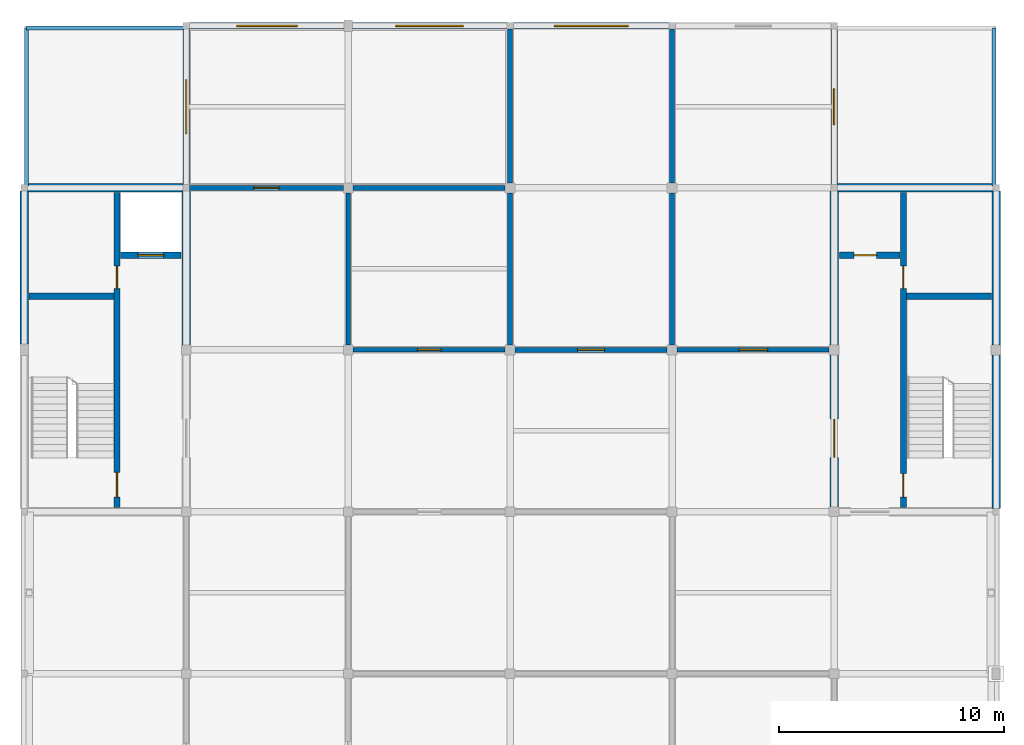
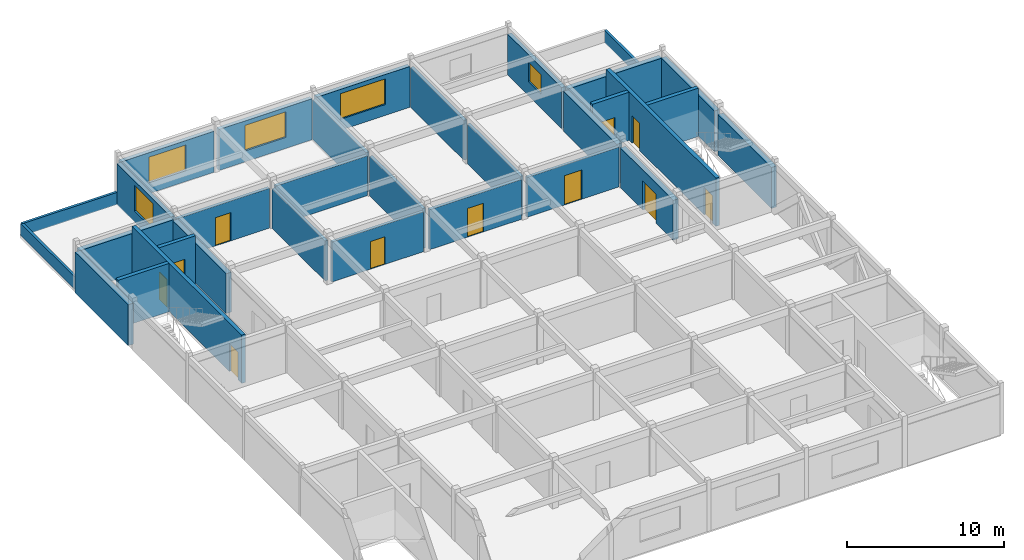
# One storey, part 4 of 6: 32 walls, 11 doors, 5 windows, 16 openings.
"""IFC4 building model written with IfcOpenShell, lengths in metres."""

import ifcopenshell
import ifcopenshell.guid

model = None  # the IFC model being written
_history = None  # IfcOwnerHistory: only IFC2X3 demands one
_inside = {}  # id of a spatial element -> (the spatial element, [elements in it])
_under = {}  # id of a project, library or spatial element -> (it, [spatial elements below it])
_declared = {}  # id of a project -> (the project, [libraries it declares])
_typed = {}  # id of a type object -> (the type object, [elements of that type])
_made_of = {}  # id of a material, layer set ... -> (it, [elements and type objects made of it])


def new_model(schema):
    """Start an empty IFC model of exactly this schema.

    Asked for "IFC4X3", IfcOpenShell would pick the latest addendum, in which some entities
    have other attributes; the version numbers below select the first issue.
    IFC2X3 requires an IfcOwnerHistory on every rooted entity: one is made here for all.
    """
    global model, _history
    if schema == "IFC4X3":
        model = ifcopenshell.file(schema_version=(4, 3, 0, 0))
    else:
        model = ifcopenshell.file(schema=schema)
    _inside.clear()
    _under.clear()
    _declared.clear()
    _typed.clear()
    _made_of.clear()
    _history = None
    if model.schema == "IFC2X3":
        org = make("IfcOrganization", Name="unknown")
        user = make(
            "IfcPersonAndOrganization",
            ThePerson=make("IfcPerson", FamilyName="unknown"),
            TheOrganization=org,
        )
        app = make(
            "IfcApplication",
            ApplicationDeveloper=org,
            Version="unknown",
            ApplicationFullName="unknown",
            ApplicationIdentifier="unknown",
        )
        _history = make(
            "IfcOwnerHistory",
            OwningUser=user,
            OwningApplication=app,
            ChangeAction="ADDED",
            CreationDate=0,
        )
    return model


def make(cls, **values):
    """One entity of the class cls with the attributes given. An attribute that is None is left unset."""
    return model.create_entity(
        cls, **{name: value for name, value in values.items() if value is not None}
    )


def rooted(cls, **values):
    """An entity with a GlobalId (a new one), such as an element, a storey or a relation."""
    return make(cls, GlobalId=ifcopenshell.guid.new(), OwnerHistory=_history, **values)


def si_unit(unit_type, name, prefix=None):
    """IfcSIUnit, for example si_unit("LENGTHUNIT", "METRE", prefix="MILLI")."""
    return make("IfcSIUnit", UnitType=unit_type, Prefix=prefix, Name=name)


def assignment(units):
    """IfcUnitAssignment: the units of a project."""
    return None if units is None else make("IfcUnitAssignment", Units=units)


def point(xyz):
    """IfcCartesianPoint."""
    return None if xyz is None else make("IfcCartesianPoint", Coordinates=xyz)


def direction(xyz):
    """IfcDirection."""
    return None if xyz is None else make("IfcDirection", DirectionRatios=xyz)


def frame(location, z_axis=None, x_axis=None):
    """IfcAxis2Placement3D, a coordinate frame: its origin and axes. An axis left out is left unset."""
    return make(
        "IfcAxis2Placement3D",
        Location=point(location),
        Axis=direction(z_axis),
        RefDirection=direction(x_axis),
    )


def frame_2d(location, x_axis=None):
    """IfcAxis2Placement2D, a coordinate frame in the plane: its origin and x axis."""
    return make(
        "IfcAxis2Placement2D", Location=point(location), RefDirection=direction(x_axis)
    )


def origin():
    """The frame at (0, 0, 0) with its axes left unset."""
    return frame((0.0, 0.0, 0.0))


def place(relative_to, where):
    """IfcLocalPlacement: puts the frame where relative to a parent placement (None: the world)."""
    return make(
        "IfcLocalPlacement", PlacementRelTo=relative_to, RelativePlacement=where
    )


def context(
    kind, dimensions, precision=None, world=None, true_north=None, identifier=None
):
    """IfcGeometricRepresentationContext, for example the 3D "Model" context."""
    return make(
        "IfcGeometricRepresentationContext",
        ContextIdentifier=identifier,
        ContextType=kind,
        CoordinateSpaceDimension=dimensions,
        Precision=precision,
        WorldCoordinateSystem=world,
        TrueNorth=true_north,
    )


def subcontext(parent, identifier, kind, view, scale=None):
    """IfcGeometricRepresentationSubContext, for example "Body" below "Model"."""
    return make(
        "IfcGeometricRepresentationSubContext",
        ContextIdentifier=identifier,
        ContextType=kind,
        ParentContext=parent,
        TargetScale=scale,
        TargetView=view,
    )


def project(units=None, contexts=None):
    """IfcProject with its units and contexts."""
    return rooted(
        "IfcProject",
        Name="project",
        RepresentationContexts=contexts,
        UnitsInContext=assignment(units),
    )


def spatial(cls, under=None, at=None, **own):
    """A site, building, storey or space (cls), placed at a placement, below another one or the project."""
    s = rooted(cls, ObjectPlacement=at, **own)
    if under is not None:
        _under.setdefault(under.id(), (under, []))[1].append(s)
    return s


def profile(cls, at=None, kind="AREA", **sizes):
    """A parametric profile (cls). Its sizes go by their IFC names, for example OverallWidth=200.0."""
    return make(cls, ProfileType=kind, Position=at, **sizes)


def rectangle(**sizes):
    """IfcRectangleProfileDef."""
    return profile("IfcRectangleProfileDef", **sizes)


def extrude(swept, where, along, depth):
    """IfcExtrudedAreaSolid: the profile swept, set in the frame where, extruded along a direction by depth."""
    return make(
        "IfcExtrudedAreaSolid",
        SweptArea=swept,
        Position=where,
        ExtrudedDirection=direction(along),
        Depth=depth,
    )


def shape(context_of_items, identifier, shape_type, items):
    """IfcShapeRepresentation: the items that make up one representation, for example the "Body"."""
    return make(
        "IfcShapeRepresentation",
        ContextOfItems=context_of_items,
        RepresentationIdentifier=identifier,
        RepresentationType=shape_type,
        Items=items,
    )


def material(Name=None, Category=None):
    """IfcMaterial."""
    return make("IfcMaterial", Name=Name, Category=Category)


def layer(
    of_material, thickness, ventilated=None, Name=None, Category=None, Priority=None
):
    """IfcMaterialLayer: one layer of a wall or slab, of a material (None: an air gap)."""
    return make(
        "IfcMaterialLayer",
        Material=of_material,
        LayerThickness=thickness,
        IsVentilated=ventilated,
        Name=Name,
        Category=Category,
        Priority=Priority,
    )


def layer_set(layers, Name=None):
    """IfcMaterialLayerSet."""
    return make("IfcMaterialLayerSet", MaterialLayers=layers, LayerSetName=Name)


def made_of(thing, what):
    """Note that an element or type object is made of a material, layer set ...; save() writes the relation."""
    if what is not None:
        _made_of.setdefault(what.id(), (what, []))[1].append(thing)
    return thing


def type_object(cls, material=None, **own):
    """A type object (cls), such as IfcWallType, which elements share."""
    return made_of(rooted(cls, **own), material)


def element(
    cls,
    number,
    at=None,
    inside=None,
    cuts=None,
    type_object=None,
    material=None,
    context=None,
    identifier="Body",
    shape_type=None,
    held_by="IfcProductDefinitionShape",
    body=None,
    shapes=None,
    **own,
):
    """One element of the class cls, such as IfcWall. Its Tag is "e" and its number.

    at: its placement. inside: the storey or other place that contains it. cuts: it is an
    opening in that element (IfcRelVoidsElement). A single representation is given by context,
    identifier, shape_type and body (its items); several are given by shapes. held_by: the class
    of the entity that holds the representations. save() writes the other relations.
    """
    e = rooted(cls, Tag="e%d" % number, ObjectPlacement=at, **own)
    if body is not None:
        shapes = [shape(context, identifier, shape_type, body)]
    if shapes is not None:
        e.Representation = make(held_by, Representations=shapes)
    if inside is not None:
        _inside.setdefault(inside.id(), (inside, []))[1].append(e)
    if cuts is not None:
        rooted(
            "IfcRelVoidsElement", RelatingBuildingElement=cuts, RelatedOpeningElement=e
        )
    if type_object is not None:
        _typed.setdefault(type_object.id(), (type_object, []))[1].append(e)
    return made_of(e, material)


def fill(opening, filler):
    """IfcRelFillsElement: the door or window that sits in an opening."""
    return rooted(
        "IfcRelFillsElement",
        RelatingOpeningElement=opening,
        RelatedBuildingElement=filler,
    )


def aggregate(whole, parts):
    """IfcRelAggregates: a whole, such as a stair, and the parts it consists of."""
    return rooted("IfcRelAggregates", RelatingObject=whole, RelatedObjects=parts)


def save(model, path):
    """Write the relations noted so far, then the file.

    IfcRelAggregates (storeys below a building ...), IfcRelContainedInSpatialStructure (elements
    in a storey), IfcRelDefinesByType, IfcRelAssociatesMaterial and IfcRelDeclares: one each for
    every whole, place, type object, material and project.
    """
    for whole, parts in _under.values():
        aggregate(whole, parts)
    for where, things in _inside.values():
        rooted(
            "IfcRelContainedInSpatialStructure",
            RelatedElements=things,
            RelatingStructure=where,
        )
    for kind, things in _typed.values():
        rooted("IfcRelDefinesByType", RelatedObjects=things, RelatingType=kind)
    for what, things in _made_of.values():
        rooted("IfcRelAssociatesMaterial", RelatedObjects=things, RelatingMaterial=what)
    for by, libraries in _declared.values():
        rooted("IfcRelDeclares", RelatingContext=by, RelatedDefinitions=libraries)
    model.write(path)


model = new_model("IFC4")

# Units and contexts
model_context = context("Model", 3, precision=1e-05, world=origin(), true_north=direction((0.0, 1.0)))
body_context = subcontext(model_context, "Body", "Model", "MODEL_VIEW")
ifc_project = project(units=[si_unit("LENGTHUNIT", "METRE"), si_unit("AREAUNIT", "SQUARE_METRE"), si_unit("VOLUMEUNIT", "CUBIC_METRE"), si_unit("PLANEANGLEUNIT", "RADIAN"), si_unit("MASSUNIT", "GRAM", prefix="KILO")], contexts=[model_context])

# Site, building, storey
site_placement = place(None, origin())
site = spatial("IfcSite", under=ifc_project, at=site_placement, CompositionType="ELEMENT")
building_placement = place(site_placement, origin())
building = spatial("IfcBuilding", under=site, at=building_placement, Name="Cendaluz Park School", CompositionType="ELEMENT")
storey_placement = place(building_placement, frame((0.0, 0.0, 59.0)))
storey = spatial("IfcBuildingStorey", under=building, at=storey_placement, Name="L14", CompositionType="ELEMENT", Elevation=59.0)

# Wall, opening, door
ifc_material_1 = material(Name="Gypsum Plasterboard on Cold-Formed Stud", Category="gypsum")
ifc_layer_1 = layer(ifc_material_1, 0.199951171875)
ifc_layer_set_1 = layer_set([ifc_layer_1], Name="Gypsum Plasterboard on Cold-Formed Stud")
wall_type_1 = type_object("IfcWallType", Name="W-AC20", PredefinedType="PARTITIONING", material=ifc_layer_set_1)
wall_1_placement = place(storey_placement, frame((93.820068359375, 50.39990234375, 0.0), z_axis=(0.0, 0.0, 1.0), x_axis=(1.0, 0.0, 0.0)))
wall_1 = element("IfcWall", 1, at=wall_1_placement, inside=storey, type_object=wall_type_1, Name="WL-FO-BL1", PredefinedType="PARTITIONING", context=body_context, shape_type="SweptSolid", body=[
    extrude(rectangle(XDim=6.760009765625, YDim=0.199951171875, at=frame_2d((3.3798828125, 0.0))), origin(), (0.0, 0.0, 1.0), 3.110107421875),
])
opening_1_placement = place(wall_1_placement, frame((2.739990234375, 0.0, 0.0)))
opening_1 = element("IfcOpeningElement", 2, at=opening_1_placement, cuts=wall_1, Name="Opening DCL-10", PredefinedType="OPENING", context=body_context, shape_type="SweptSolid", body=[
    extrude(rectangle(XDim=1.280029296875, YDim=2.280029296875, at=frame_2d((0.64013671875, 1.14013671875))), frame((0.0, 0.112060546875, 0.0), z_axis=(0.0, -1.0, 0.0), x_axis=(1.0, 0.0, 0.0)), (0.0, 0.0, 1.0), 0.223876953125),
])
ifc_material_2 = material(Name="Solid Core Hardwood", Category="wood")
door_type_1 = type_object("IfcDoorType", Name="DCL-10", OperationType="NOTDEFINED", PredefinedType="DOOR", material=ifc_material_2)
door_1_placement = place(opening_1_placement, origin())
door_1 = element("IfcDoor", 3, at=door_1_placement, inside=storey, type_object=door_type_1, Name="D-L14-022", OperationType="SINGLE_SWING_LEFT", OverallHeight=2.280029296875, OverallWidth=1.280029296875, PredefinedType="DOOR", context=body_context, shape_type="SweptSolid", body=[
    extrude(rectangle(XDim=1.280029296875, YDim=2.280029296875, at=frame_2d((0.64013671875, 1.14013671875))), frame((0.0, 0.02490234375, 0.0), z_axis=(0.0, -1.0, 0.0), x_axis=(1.0, 0.0, 0.0)), (0.0, 0.0, 1.0), 0.050048828125),
])
fill(opening_1, door_1)

wall_2_placement = place(storey_placement, frame((79.419921875, 50.39990234375, 0.0), z_axis=(0.0, 0.0, 1.0), x_axis=(1.0, 0.0, 0.0)))
wall_2 = element("IfcWall", 4, at=wall_2_placement, inside=storey, type_object=wall_type_1, Name="WL-FO-BM1", PredefinedType="PARTITIONING", context=body_context, shape_type="SweptSolid", body=[
    extrude(rectangle(XDim=6.760009765625, YDim=0.199951171875, at=frame_2d((3.3798828125, 0.0))), origin(), (0.0, 0.0, 1.0), 3.110107421875),
])
opening_2_placement = place(wall_2_placement, frame((2.85009765625, 0.0, 0.0)))
opening_2 = element("IfcOpeningElement", 5, at=opening_2_placement, cuts=wall_2, Name="Opening DCL-04", PredefinedType="OPENING", context=body_context, shape_type="SweptSolid", body=[
    extrude(rectangle(XDim=1.06005859375, YDim=2.159912109375, at=frame_2d((0.530029296875, 1.080078125))), frame((0.0, 0.112060546875, 0.0), z_axis=(0.0, -1.0, 0.0), x_axis=(1.0, 0.0, 0.0)), (0.0, 0.0, 1.0), 0.223876953125),
])
door_type_2 = type_object("IfcDoorType", Name="DCL-04", OperationType="NOTDEFINED", PredefinedType="DOOR", material=ifc_material_2)
door_2_placement = place(opening_2_placement, origin())
door_2 = element("IfcDoor", 6, at=door_2_placement, inside=storey, type_object=door_type_2, Name="D-L14-026", OperationType="SINGLE_SWING_LEFT", OverallHeight=2.159912109375, OverallWidth=1.06005859375, PredefinedType="DOOR", context=body_context, shape_type="SweptSolid", body=[
    extrude(rectangle(XDim=1.06005859375, YDim=2.159912109375, at=frame_2d((0.530029296875, 1.080078125))), frame((0.0, 0.02490234375, 0.0), z_axis=(0.0, -1.0, 0.0), x_axis=(1.0, 0.0, 0.0)), (0.0, 0.0, 1.0), 0.050048828125),
])
fill(opening_2, door_2)

# Wall
wall_3_placement = place(storey_placement, frame((79.199951171875, 50.6201171875, 0.0), z_axis=(0.0, 0.0, 1.0), x_axis=(0.0, 1.0, 0.0)))
element("IfcWall", 7, at=wall_3_placement, inside=storey, type_object=wall_type_1, Name="WL-FO-BM2", PredefinedType="PARTITIONING", context=body_context, shape_type="SweptSolid", body=[
    extrude(rectangle(XDim=6.759765625, YDim=0.199951171875, at=frame_2d((3.3798828125, 0.0))), origin(), (0.0, 0.0, 1.0), 3.110107421875),
])

# Wall, opening, window
ifc_material_3 = material(Name="Cross-laminated timber CLT C24", Category="wood")
ifc_layer_2 = layer(ifc_material_3, 0.300048828125)
ifc_layer_set_2 = layer_set([ifc_layer_2], Name="Cross-laminated timber CLT C24")
wall_type_2 = type_object("IfcWallType", Name="W-EX30", PredefinedType="SOLIDWALL", material=ifc_layer_set_2)
wall_4_placement = place(storey_placement, frame((72.14990234375, 64.800048828125, 0.0), z_axis=(0.0, 0.0, 1.0), x_axis=(1.0, 0.0, 0.0)))
wall_4 = element("IfcWall", 8, at=wall_4_placement, inside=storey, type_object=wall_type_2, Name="WL-FO-AA3", PredefinedType="SOLIDWALL", context=body_context, shape_type="SweptSolid", body=[
    extrude(rectangle(XDim=6.8701171875, YDim=0.300048828125, at=frame_2d((3.43505859375, 0.0))), origin(), (0.0, 0.0, 1.0), 3.18994140625),
])
opening_3_placement = place(wall_4_placement, frame((2.0849609375, 0.0, 0.85009765625)))
opening_3 = element("IfcOpeningElement", 9, at=opening_3_placement, cuts=wall_4, Name="Opening WN-13", PredefinedType="OPENING", context=body_context, shape_type="SweptSolid", body=[
    extrude(rectangle(XDim=2.699951171875, YDim=2.0, at=frame_2d((1.35009765625, 1.0))), frame((0.0, 0.162109375, 0.0), z_axis=(0.0, -1.0, 0.0), x_axis=(1.0, 0.0, 0.0)), (0.0, 0.0, 1.0), 0.323974609375),
])
ifc_material_4 = material(Name="Tempered Low-E Double Glazing", Category="glass")
window_type_1 = type_object("IfcWindowType", Name="WN-13", PartitioningType="SINGLE_PANEL", PredefinedType="WINDOW", material=ifc_material_4)
window_1_placement = place(opening_3_placement, origin())
window_1 = element("IfcWindow", 10, at=window_1_placement, inside=storey, type_object=window_type_1, Name="WN-L14-002", OverallHeight=2.0, OverallWidth=2.699951171875, PartitioningType="SINGLE_PANEL", PredefinedType="WINDOW", context=body_context, shape_type="SweptSolid", body=[
    extrude(rectangle(XDim=2.699951171875, YDim=2.0, at=frame_2d((1.35009765625, 1.0))), frame((0.0, 0.030029296875, 0.0), z_axis=(0.0, -1.0, 0.0), x_axis=(1.0, 0.0, 0.0)), (0.0, 0.0, 1.0), 0.06005859375),
])
fill(opening_3, window_1)

wall_5_placement = place(storey_placement, frame((72.0, 57.75, 0.0), z_axis=(0.0, 0.0, 1.0), x_axis=(0.0, 1.0, 0.0)))
wall_5 = element("IfcWall", 11, at=wall_5_placement, inside=storey, type_object=wall_type_2, Name="WL-FO-AA4", PredefinedType="SOLIDWALL", context=body_context, shape_type="SweptSolid", body=[
    extrude(rectangle(XDim=6.89990234375, YDim=0.300048828125, at=frame_2d((3.449951171875, 0.0))), origin(), (0.0, 0.0, 1.0), 3.18994140625),
])
opening_4_placement = place(wall_5_placement, frame((2.25, 0.0, 0.85009765625)))
opening_4 = element("IfcOpeningElement", 12, at=opening_4_placement, cuts=wall_5, Name="Opening WN-12", PredefinedType="OPENING", context=body_context, shape_type="SweptSolid", body=[
    extrude(rectangle(XDim=2.39990234375, YDim=2.0, at=frame_2d((1.199951171875, 1.0))), frame((0.0, 0.162109375, 0.0), z_axis=(0.0, -1.0, 0.0), x_axis=(1.0, 0.0, 0.0)), (0.0, 0.0, 1.0), 0.323974609375),
])
window_type_2 = type_object("IfcWindowType", Name="WN-12", PartitioningType="SINGLE_PANEL", PredefinedType="WINDOW", material=ifc_material_4)
window_2_placement = place(opening_4_placement, origin())
window_2 = element("IfcWindow", 13, at=window_2_placement, inside=storey, type_object=window_type_2, Name="WN-L14-003", OverallHeight=2.0, OverallWidth=2.39990234375, PartitioningType="SINGLE_PANEL", PredefinedType="WINDOW", context=body_context, shape_type="SweptSolid", body=[
    extrude(rectangle(XDim=2.39990234375, YDim=2.0, at=frame_2d((1.199951171875, 1.0))), frame((0.0, 0.030029296875, 0.0), z_axis=(0.0, -1.0, 0.0), x_axis=(1.0, 0.0, 0.0)), (0.0, 0.0, 1.0), 0.06005859375),
])
fill(opening_4, window_2)

wall_6_placement = place(storey_placement, frame((79.3798828125, 64.800048828125, 0.0), z_axis=(0.0, 0.0, 1.0), x_axis=(1.0, 0.0, 0.0)))
wall_6 = element("IfcWall", 14, at=wall_6_placement, inside=storey, type_object=wall_type_2, Name="WL-FO-AA6", PredefinedType="SOLIDWALL", context=body_context, shape_type="SweptSolid", body=[
    extrude(rectangle(XDim=6.8701171875, YDim=0.300048828125, at=frame_2d((3.43505859375, 0.0))), origin(), (0.0, 0.0, 1.0), 3.18994140625),
])
opening_5_placement = place(wall_6_placement, frame((1.93505859375, 0.0, 0.85009765625)))
opening_5 = element("IfcOpeningElement", 15, at=opening_5_placement, cuts=wall_6, Name="Opening WN-14", PredefinedType="OPENING", context=body_context, shape_type="SweptSolid", body=[
    extrude(rectangle(XDim=3.0, YDim=2.0, at=frame_2d((1.5, 1.0))), frame((0.0, 0.162109375, 0.0), z_axis=(0.0, -1.0, 0.0), x_axis=(1.0, 0.0, 0.0)), (0.0, 0.0, 1.0), 0.323974609375),
])
window_type_3 = type_object("IfcWindowType", Name="WN-14", PartitioningType="SINGLE_PANEL", PredefinedType="WINDOW", material=ifc_material_4)
window_3_placement = place(opening_5_placement, origin())
window_3 = element("IfcWindow", 16, at=window_3_placement, inside=storey, type_object=window_type_3, Name="WN-L14-005", OverallHeight=2.0, OverallWidth=3.0, PartitioningType="SINGLE_PANEL", PredefinedType="WINDOW", context=body_context, shape_type="SweptSolid", body=[
    extrude(rectangle(XDim=3.0, YDim=2.0, at=frame_2d((1.5, 1.0))), frame((0.0, 0.030029296875, 0.0), z_axis=(0.0, -1.0, 0.0), x_axis=(1.0, 0.0, 0.0)), (0.0, 0.0, 1.0), 0.06005859375),
])
fill(opening_5, window_3)

wall_7_placement = place(storey_placement, frame((86.550048828125, 64.800048828125, 0.0), z_axis=(0.0, 0.0, 1.0), x_axis=(1.0, 0.0, 0.0)))
wall_7 = element("IfcWall", 17, at=wall_7_placement, inside=storey, type_object=wall_type_2, Name="WL-FO-AA8", PredefinedType="SOLIDWALL", context=body_context, shape_type="SweptSolid", body=[
    extrude(rectangle(XDim=6.89990234375, YDim=0.300048828125, at=frame_2d((3.449951171875, 0.0))), origin(), (0.0, 0.0, 1.0), 3.18994140625),
])
opening_6_placement = place(wall_7_placement, frame((1.800048828125, 0.0, 0.85009765625)))
opening_6 = element("IfcOpeningElement", 18, at=opening_6_placement, cuts=wall_7, Name="Opening WN-15", PredefinedType="OPENING", context=body_context, shape_type="SweptSolid", body=[
    extrude(rectangle(XDim=3.300048828125, YDim=2.0, at=frame_2d((1.64990234375, 1.0))), frame((0.0, 0.162109375, 0.0), z_axis=(0.0, -1.0, 0.0), x_axis=(1.0, 0.0, 0.0)), (0.0, 0.0, 1.0), 0.323974609375),
])
window_type_4 = type_object("IfcWindowType", Name="WN-15", PartitioningType="SINGLE_PANEL", PredefinedType="WINDOW", material=ifc_material_4)
window_4_placement = place(opening_6_placement, origin())
window_4 = element("IfcWindow", 19, at=window_4_placement, inside=storey, type_object=window_type_4, Name="WN-L14-007", OverallHeight=2.0, OverallWidth=3.300048828125, PartitioningType="SINGLE_PANEL", PredefinedType="WINDOW", context=body_context, shape_type="SweptSolid", body=[
    extrude(rectangle(XDim=3.300048828125, YDim=2.0, at=frame_2d((1.64990234375, 1.0))), frame((0.0, 0.030029296875, 0.0), z_axis=(0.0, -1.0, 0.0), x_axis=(1.0, 0.0, 0.0)), (0.0, 0.0, 1.0), 0.06005859375),
])
fill(opening_6, window_4)

wall_8_placement = place(storey_placement, frame((100.800048828125, 57.75, 0.0), z_axis=(0.0, 0.0, 1.0), x_axis=(0.0, 1.0, 0.0)))
wall_8 = element("IfcWall", 20, at=wall_8_placement, inside=storey, type_object=wall_type_2, Name="WL-FO-AB1", PredefinedType="SOLIDWALL", context=body_context, shape_type="SweptSolid", body=[
    extrude(rectangle(XDim=6.89990234375, YDim=0.300048828125, at=frame_2d((3.449951171875, 0.0))), origin(), (0.0, 0.0, 1.0), 3.18994140625),
])
opening_7_placement = place(wall_8_placement, frame((2.64990234375, 0.0, 1.10009765625)))
opening_7 = element("IfcOpeningElement", 21, at=opening_7_placement, cuts=wall_8, Name="Opening WN-16", PredefinedType="OPENING", context=body_context, shape_type="SweptSolid", body=[
    extrude(rectangle(XDim=1.60009765625, YDim=1.5, at=frame_2d((0.800048828125, 0.75))), frame((0.0, 0.162109375, 0.0), z_axis=(0.0, -1.0, 0.0), x_axis=(1.0, 0.0, 0.0)), (0.0, 0.0, 1.0), 0.323974609375),
])
window_type_5 = type_object("IfcWindowType", Name="WN-16", PartitioningType="SINGLE_PANEL", PredefinedType="WINDOW", material=ifc_material_4)
window_5_placement = place(opening_7_placement, origin())
window_5 = element("IfcWindow", 22, at=window_5_placement, inside=storey, type_object=window_type_5, Name="WN-L14-010", OverallHeight=1.5, OverallWidth=1.60009765625, PartitioningType="SINGLE_PANEL", PredefinedType="WINDOW", context=body_context, shape_type="SweptSolid", body=[
    extrude(rectangle(XDim=1.60009765625, YDim=1.5, at=frame_2d((0.800048828125, 0.75))), frame((0.0, 0.030029296875, 0.0), z_axis=(0.0, -1.0, 0.0), x_axis=(1.0, 0.0, 0.0)), (0.0, 0.0, 1.0), 0.06005859375),
])
fill(opening_7, window_5)

# Wall, openings, doors
ifc_material_5 = material(Name="Concrete C40/50", Category="concrete")
ifc_layer_3 = layer(ifc_material_5, 0.280029296875)
ifc_layer_set_3 = layer_set([ifc_layer_3], Name="Concrete C40/50")
wall_type_3 = type_object("IfcWallType", Name="W-FW28", PredefinedType="SHEAR", material=ifc_layer_set_3)
wall_9_placement = place(storey_placement, frame((68.919921875, 43.39990234375, 0.0), z_axis=(0.0, 0.0, 1.0), x_axis=(0.0, 1.0, 0.0)))
wall_9 = element("IfcWall", 23, at=wall_9_placement, inside=storey, type_object=wall_type_3, Name="WL-FO-BI2", PredefinedType="SHEAR", context=body_context, shape_type="SweptSolid", body=[
    extrude(rectangle(XDim=14.0, YDim=0.280029296875, at=frame_2d((7.0, 0.0))), origin(), (0.0, 0.0, 1.0), 3.760009765625),
])
opening_8_placement = place(wall_9_placement, frame((0.449951171875, 0.0, 0.0)))
opening_8 = element("IfcOpeningElement", 24, at=opening_8_placement, cuts=wall_9, Name="Opening DST-01", PredefinedType="OPENING", context=body_context, shape_type="SweptSolid", body=[
    extrude(rectangle(XDim=1.10009765625, YDim=2.14990234375, at=frame_2d((0.550048828125, 1.074951171875))), frame((0.0, 0.152099609375, 0.0), z_axis=(0.0, -1.0, 0.0), x_axis=(1.0, 0.0, 0.0)), (0.0, 0.0, 1.0), 0.303955078125),
])
opening_9_placement = place(wall_9_placement, frame((9.719970703125, 0.0, 0.0)))
opening_9 = element("IfcOpeningElement", 25, at=opening_9_placement, cuts=wall_9, Name="Opening DFC-01", PredefinedType="OPENING", context=body_context, shape_type="SweptSolid", body=[
    extrude(rectangle(XDim=1.0, YDim=2.14990234375, at=frame_2d((0.5, 1.074951171875))), frame((0.0, 0.152099609375, 0.0), z_axis=(0.0, -1.0, 0.0), x_axis=(1.0, 0.0, 0.0)), (0.0, 0.0, 1.0), 0.303955078125),
])
door_type_3 = type_object("IfcDoorType", Name="DFC-01", OperationType="NOTDEFINED", PredefinedType="DOOR", material=ifc_material_2)
door_3_placement = place(opening_9_placement, origin())
door_3 = element("IfcDoor", 26, at=door_3_placement, inside=storey, type_object=door_type_3, Name="D-L14-011", OperationType="SINGLE_SWING_RIGHT", OverallHeight=2.14990234375, OverallWidth=1.0, PredefinedType="DOOR", context=body_context, shape_type="SweptSolid", body=[
    extrude(rectangle(XDim=1.0, YDim=2.14990234375, at=frame_2d((0.5, 1.074951171875))), frame((0.0, 0.02490234375, 0.0), z_axis=(0.0, -1.0, 0.0), x_axis=(1.0, 0.0, 0.0)), (0.0, 0.0, 1.0), 0.050048828125),
])
fill(opening_9, door_3)
door_type_4 = type_object("IfcDoorType", Name="DST-01", OperationType="NOTDEFINED", PredefinedType="DOOR", material=ifc_material_2)
door_4_placement = place(opening_8_placement, origin())
door_4 = element("IfcDoor", 27, at=door_4_placement, inside=storey, type_object=door_type_4, Name="D-L14-010", OperationType="SINGLE_SWING_LEFT", OverallHeight=2.14990234375, OverallWidth=1.10009765625, PredefinedType="DOOR", context=body_context, shape_type="SweptSolid", body=[
    extrude(rectangle(XDim=1.10009765625, YDim=2.14990234375, at=frame_2d((0.550048828125, 1.074951171875))), frame((0.0, 0.02490234375, 0.0), z_axis=(0.0, -1.0, 0.0), x_axis=(1.0, 0.0, 0.0)), (0.0, 0.0, 1.0), 0.050048828125),
])
fill(opening_8, door_4)

# Wall
wall_10_placement = place(storey_placement, frame((65.0, 52.780029296875, 0.0), z_axis=(0.0, 0.0, 1.0), x_axis=(1.0, 0.0, 0.0)))
element("IfcWall", 28, at=wall_10_placement, inside=storey, type_object=wall_type_3, Name="WL-FO-BI3", PredefinedType="SHEAR", context=body_context, shape_type="SweptSolid", body=[
    extrude(rectangle(XDim=3.780029296875, YDim=0.280029296875, at=frame_2d((1.89013671875, 0.0))), origin(), (0.0, 0.0, 1.0), 3.760009765625),
])

# Wall, opening, door
wall_11_placement = place(storey_placement, frame((69.080078125, 54.60009765625, 0.0), z_axis=(0.0, 0.0, 1.0), x_axis=(1.0, 0.0, 0.0)))
wall_11 = element("IfcWall", 29, at=wall_11_placement, inside=storey, type_object=wall_type_3, Name="WL-FO-BI4", PredefinedType="SHEAR", context=body_context, shape_type="SweptSolid", body=[
    extrude(rectangle(XDim=2.679931640625, YDim=0.280029296875, at=frame_2d((1.33984375, 0.0))), origin(), (0.0, 0.0, 1.0), 3.760009765625),
])
opening_10_placement = place(wall_11_placement, frame((0.764892578125, 0.0, 0.0)))
opening_10 = element("IfcOpeningElement", 30, at=opening_10_placement, cuts=wall_11, Name="Opening LD-01", PredefinedType="OPENING", context=body_context, shape_type="SweptSolid", body=[
    extrude(rectangle(XDim=1.14990234375, YDim=2.199951171875, at=frame_2d((0.574951171875, 1.10009765625))), frame((0.0, 0.152099609375, 0.0), z_axis=(0.0, -1.0, 0.0), x_axis=(1.0, 0.0, 0.0)), (0.0, 0.0, 1.0), 0.303955078125),
])
ifc_material_6 = material(Name="Stainless Steel 316L", Category="steel")
door_type_5 = type_object("IfcDoorType", Name="LD-01", OperationType="DOUBLE_DOOR_SLIDING", PredefinedType="DOOR", material=ifc_material_6)
door_5_placement = place(opening_10_placement, frame((1.14990234375, 0.0, 0.0), z_axis=(0.0, 0.0, 1.0), x_axis=(-1.0, 0.0, 0.0)))
door_5 = element("IfcDoor", 31, at=door_5_placement, inside=storey, type_object=door_type_5, Name="D-L14-012", OperationType="DOUBLE_DOOR_SLIDING", OverallHeight=2.199951171875, OverallWidth=1.14990234375, PredefinedType="DOOR", context=body_context, shape_type="SweptSolid", body=[
    extrude(rectangle(XDim=1.14990234375, YDim=2.199951171875, at=frame_2d((0.574951171875, 1.10009765625))), frame((0.0, 0.02490234375, 0.0), z_axis=(0.0, -1.0, 0.0), x_axis=(1.0, 0.0, 0.0)), (0.0, 0.0, 1.0), 0.050048828125),
])
fill(opening_10, door_5)

# Wall, openings, doors
wall_12_placement = place(storey_placement, frame((103.8798828125, 43.39990234375, 0.0), z_axis=(0.0, 0.0, 1.0), x_axis=(0.0, 1.0, 0.0)))
wall_12 = element("IfcWall", 32, at=wall_12_placement, inside=storey, type_object=wall_type_3, Name="WL-FO-BJ1", PredefinedType="SHEAR", context=body_context, shape_type="SweptSolid", body=[
    extrude(rectangle(XDim=14.0, YDim=0.280029296875, at=frame_2d((7.0, 0.0))), origin(), (0.0, 0.0, 1.0), 3.760009765625),
])
opening_11_placement = place(wall_12_placement, frame((0.449951171875, 0.0, 0.0)))
opening_11 = element("IfcOpeningElement", 33, at=opening_11_placement, cuts=wall_12, Name="Opening DST-02", PredefinedType="OPENING", context=body_context, shape_type="SweptSolid", body=[
    extrude(rectangle(XDim=1.050048828125, YDim=2.14990234375, at=frame_2d((0.52490234375, 1.074951171875))), frame((0.0, 0.152099609375, 0.0), z_axis=(0.0, -1.0, 0.0), x_axis=(1.0, 0.0, 0.0)), (0.0, 0.0, 1.0), 0.303955078125),
])
opening_12_placement = place(wall_12_placement, frame((9.719970703125, 0.0, 0.0)))
opening_12 = element("IfcOpeningElement", 34, at=opening_12_placement, cuts=wall_12, Name="Opening DFC-01", PredefinedType="OPENING", context=body_context, shape_type="SweptSolid", body=[
    extrude(rectangle(XDim=1.0, YDim=2.14990234375, at=frame_2d((0.5, 1.074951171875))), frame((0.0, 0.152099609375, 0.0), z_axis=(0.0, -1.0, 0.0), x_axis=(1.0, 0.0, 0.0)), (0.0, 0.0, 1.0), 0.303955078125),
])
door_6_placement = place(opening_12_placement, frame((1.0, 0.0, 0.0), z_axis=(0.0, 0.0, 1.0), x_axis=(-1.0, 0.0, 0.0)))
door_6 = element("IfcDoor", 35, at=door_6_placement, inside=storey, type_object=door_type_3, Name="D-L14-016", OperationType="SINGLE_SWING_LEFT", OverallHeight=2.14990234375, OverallWidth=1.0, PredefinedType="DOOR", context=body_context, shape_type="SweptSolid", body=[
    extrude(rectangle(XDim=1.0, YDim=2.14990234375, at=frame_2d((0.5, 1.074951171875))), frame((0.0, 0.02490234375, 0.0), z_axis=(0.0, -1.0, 0.0), x_axis=(1.0, 0.0, 0.0)), (0.0, 0.0, 1.0), 0.050048828125),
])
fill(opening_12, door_6)
door_type_6 = type_object("IfcDoorType", Name="DST-02", OperationType="NOTDEFINED", PredefinedType="DOOR", material=ifc_material_2)
door_7_placement = place(opening_11_placement, frame((1.050048828125, 0.0, 0.0), z_axis=(0.0, 0.0, 1.0), x_axis=(-1.0, 0.0, 0.0)))
door_7 = element("IfcDoor", 36, at=door_7_placement, inside=storey, type_object=door_type_6, Name="D-L14-015", OperationType="SINGLE_SWING_RIGHT", OverallHeight=2.14990234375, OverallWidth=1.050048828125, PredefinedType="DOOR", context=body_context, shape_type="SweptSolid", body=[
    extrude(rectangle(XDim=1.050048828125, YDim=2.14990234375, at=frame_2d((0.52490234375, 1.074951171875))), frame((0.0, 0.02490234375, 0.0), z_axis=(0.0, -1.0, 0.0), x_axis=(1.0, 0.0, 0.0)), (0.0, 0.0, 1.0), 0.050048828125),
])
fill(opening_11, door_7)

# Wall
wall_13_placement = place(storey_placement, frame((104.02001953125, 52.780029296875, 0.0), z_axis=(0.0, 0.0, 1.0), x_axis=(1.0, 0.0, 0.0)))
element("IfcWall", 37, at=wall_13_placement, inside=storey, type_object=wall_type_3, Name="WL-FO-BJ2", PredefinedType="SHEAR", context=body_context, shape_type="SweptSolid", body=[
    extrude(rectangle(XDim=3.780029296875, YDim=0.280029296875, at=frame_2d((1.89013671875, 0.0))), origin(), (0.0, 0.0, 1.0), 3.760009765625),
])

# Wall, opening, door
wall_14_placement = place(storey_placement, frame((101.0400390625, 54.60009765625, 0.0), z_axis=(0.0, 0.0, 1.0), x_axis=(1.0, 0.0, 0.0)))
wall_14 = element("IfcWall", 38, at=wall_14_placement, inside=storey, type_object=wall_type_3, Name="WL-FO-BJ3", PredefinedType="SHEAR", context=body_context, shape_type="SweptSolid", body=[
    extrude(rectangle(XDim=2.679931640625, YDim=0.280029296875, at=frame_2d((1.33984375, 0.0))), origin(), (0.0, 0.0, 1.0), 3.760009765625),
])
opening_13_placement = place(wall_14_placement, frame((0.64990234375, 0.0, 0.0)))
opening_13 = element("IfcOpeningElement", 39, at=opening_13_placement, cuts=wall_14, Name="Opening DFC-01", PredefinedType="OPENING", context=body_context, shape_type="SweptSolid", body=[
    extrude(rectangle(XDim=1.0, YDim=2.14990234375, at=frame_2d((0.5, 1.074951171875))), frame((0.0, 0.152099609375, 0.0), z_axis=(0.0, -1.0, 0.0), x_axis=(1.0, 0.0, 0.0)), (0.0, 0.0, 1.0), 0.303955078125),
])
door_8_placement = place(opening_13_placement, frame((1.0, 0.0, 0.0), z_axis=(0.0, 0.0, 1.0), x_axis=(-1.0, 0.0, 0.0)))
door_8 = element("IfcDoor", 40, at=door_8_placement, inside=storey, type_object=door_type_3, Name="D-L14-017", OperationType="SINGLE_SWING_RIGHT", OverallHeight=2.14990234375, OverallWidth=1.0, PredefinedType="DOOR", context=body_context, shape_type="SweptSolid", body=[
    extrude(rectangle(XDim=1.0, YDim=2.14990234375, at=frame_2d((0.5, 1.074951171875))), frame((0.0, 0.02490234375, 0.0), z_axis=(0.0, -1.0, 0.0), x_axis=(1.0, 0.0, 0.0)), (0.0, 0.0, 1.0), 0.050048828125),
])
fill(opening_13, door_8)

ifc_layer_4 = layer(ifc_material_1, 0.219970703125)
ifc_layer_set_4 = layer_set([ifc_layer_4], Name="Gypsum Plasterboard on Cold-Formed Stud")
wall_type_4 = type_object("IfcWallType", Name="W-LB22", PredefinedType="PARTITIONING", material=ifc_layer_set_4)
wall_15_placement = place(storey_placement, frame((72.14990234375, 57.60009765625, 0.0), z_axis=(0.0, 0.0, 1.0), x_axis=(1.0, 0.0, 0.0)))
wall_15 = element("IfcWall", 41, at=wall_15_placement, inside=storey, type_object=wall_type_4, Name="WL-FO-BJ4", PredefinedType="PARTITIONING", context=body_context, shape_type="SweptSolid", body=[
    extrude(rectangle(XDim=6.830078125, YDim=0.219970703125, at=frame_2d((3.4150390625, 0.0))), origin(), (0.0, 0.0, 1.0), 3.110107421875),
])
opening_14_placement = place(wall_15_placement, frame((2.85498046875, 0.0, 0.0)))
opening_14 = element("IfcOpeningElement", 42, at=opening_14_placement, cuts=wall_15, Name="Opening DCL-06", PredefinedType="OPENING", context=body_context, shape_type="SweptSolid", body=[
    extrude(rectangle(XDim=1.1201171875, YDim=2.199951171875, at=frame_2d((0.56005859375, 1.10009765625))), frame((0.0, 0.1220703125, 0.0), z_axis=(0.0, -1.0, 0.0), x_axis=(1.0, 0.0, 0.0)), (0.0, 0.0, 1.0), 0.243896484375),
])
door_type_7 = type_object("IfcDoorType", Name="DCL-06", OperationType="NOTDEFINED", PredefinedType="DOOR", material=ifc_material_2)
door_9_placement = place(opening_14_placement, frame((1.1201171875, 0.0, 0.0), z_axis=(0.0, 0.0, 1.0), x_axis=(-1.0, 0.0, 0.0)))
door_9 = element("IfcDoor", 43, at=door_9_placement, inside=storey, type_object=door_type_7, Name="D-L14-018", OperationType="SINGLE_SWING_LEFT", OverallHeight=2.199951171875, OverallWidth=1.1201171875, PredefinedType="DOOR", context=body_context, shape_type="SweptSolid", body=[
    extrude(rectangle(XDim=1.1201171875, YDim=2.199951171875, at=frame_2d((0.56005859375, 1.10009765625))), frame((0.0, 0.02490234375, 0.0), z_axis=(0.0, -1.0, 0.0), x_axis=(1.0, 0.0, 0.0)), (0.0, 0.0, 1.0), 0.050048828125),
])
fill(opening_14, door_9)

# Walls
wall_16_placement = place(storey_placement, frame((79.419921875, 57.60009765625, 0.0), z_axis=(0.0, 0.0, 1.0), x_axis=(1.0, 0.0, 0.0)))
element("IfcWall", 44, at=wall_16_placement, inside=storey, type_object=wall_type_4, Name="WL-FO-BJ5", PredefinedType="PARTITIONING", context=body_context, shape_type="SweptSolid", body=[
    extrude(rectangle(XDim=6.760009765625, YDim=0.219970703125, at=frame_2d((3.3798828125, 0.0))), origin(), (0.0, 0.0, 1.0), 3.110107421875),
])
wall_17_placement = place(storey_placement, frame((86.39990234375, 57.820068359375, 0.0), z_axis=(0.0, 0.0, 1.0), x_axis=(0.0, 1.0, 0.0)))
element("IfcWall", 45, at=wall_17_placement, inside=storey, type_object=wall_type_4, Name="WL-FO-BJ6", PredefinedType="PARTITIONING", context=body_context, shape_type="SweptSolid", body=[
    extrude(rectangle(XDim=6.829833984375, YDim=0.219970703125, at=frame_2d((3.4150390625, 0.0))), origin(), (0.0, 0.0, 1.0), 3.110107421875),
])

# Wall, opening, door
wall_18_placement = place(storey_placement, frame((86.6201171875, 50.39990234375, 0.0), z_axis=(0.0, 0.0, 1.0), x_axis=(1.0, 0.0, 0.0)))
wall_18 = element("IfcWall", 46, at=wall_18_placement, inside=storey, type_object=wall_type_4, Name="WL-FO-BK3", PredefinedType="PARTITIONING", context=body_context, shape_type="SweptSolid", body=[
    extrude(rectangle(XDim=6.759765625, YDim=0.219970703125, at=frame_2d((3.3798828125, 0.0))), origin(), (0.0, 0.0, 1.0), 3.110107421875),
])
opening_15_placement = place(wall_18_placement, frame((2.780029296875, 0.0, 0.0)))
opening_15 = element("IfcOpeningElement", 47, at=opening_15_placement, cuts=wall_18, Name="Opening DCL-08", PredefinedType="OPENING", context=body_context, shape_type="SweptSolid", body=[
    extrude(rectangle(XDim=1.199951171875, YDim=2.239990234375, at=frame_2d((0.60009765625, 1.1201171875))), frame((0.0, 0.1220703125, 0.0), z_axis=(0.0, -1.0, 0.0), x_axis=(1.0, 0.0, 0.0)), (0.0, 0.0, 1.0), 0.243896484375),
])
door_type_8 = type_object("IfcDoorType", Name="DCL-08", OperationType="NOTDEFINED", PredefinedType="DOOR", material=ifc_material_2)
door_10_placement = place(opening_15_placement, frame((1.199951171875, 0.0, 0.0), z_axis=(0.0, 0.0, 1.0), x_axis=(-1.0, 0.0, 0.0)))
door_10 = element("IfcDoor", 48, at=door_10_placement, inside=storey, type_object=door_type_8, Name="D-L14-020", OperationType="SINGLE_SWING_LEFT", OverallHeight=2.239990234375, OverallWidth=1.199951171875, PredefinedType="DOOR", context=body_context, shape_type="SweptSolid", body=[
    extrude(rectangle(XDim=1.199951171875, YDim=2.239990234375, at=frame_2d((0.60009765625, 1.1201171875))), frame((0.0, 0.02490234375, 0.0), z_axis=(0.0, -1.0, 0.0), x_axis=(1.0, 0.0, 0.0)), (0.0, 0.0, 1.0), 0.050048828125),
])
fill(opening_15, door_10)

# Walls
for number, where, z_axis, x_axis, name in (
    (49, (86.39990234375, 50.6201171875, 0.0), (0.0, 0.0, 1.0), (0.0, 1.0, 0.0), "WL-FO-BK4"),
    (50, (93.60009765625, 50.6201171875, 0.0), (0.0, 0.0, 1.0), (0.0, 1.0, 0.0), "WL-FO-BK5"),
):
    element("IfcWall", number, at=place(storey_placement, frame(where, z_axis=z_axis, x_axis=x_axis)), inside=storey, type_object=wall_type_4, Name=name, PredefinedType="PARTITIONING", context=body_context, shape_type="SweptSolid", body=[
        extrude(rectangle(XDim=6.759765625, YDim=0.219970703125, at=frame_2d((3.3798828125, 0.0))), origin(), (0.0, 0.0, 1.0), 3.110107421875),
    ])
wall_19_placement = place(storey_placement, frame((93.60009765625, 57.820068359375, 0.0), z_axis=(0.0, 0.0, 1.0), x_axis=(0.0, 1.0, 0.0)))
element("IfcWall", 51, at=wall_19_placement, inside=storey, type_object=wall_type_4, Name="WL-FO-BK6", PredefinedType="PARTITIONING", context=body_context, shape_type="SweptSolid", body=[
    extrude(rectangle(XDim=6.829833984375, YDim=0.219970703125, at=frame_2d((3.4150390625, 0.0))), origin(), (0.0, 0.0, 1.0), 3.110107421875),
])
ifc_material_7 = material(Name="Concrete C40/50 precast", Category="concrete")
ifc_layer_5 = layer(ifc_material_7, 0.179931640625)
ifc_layer_set_5 = layer_set([ifc_layer_5], Name="Concrete C40/50 precast")
wall_type_5 = type_object("IfcWallType", Name="W-PR18", PredefinedType="PARAPET", material=ifc_layer_set_5)
for number, where, z_axis, x_axis, name in (
    (52, (64.889892578125, 64.7099609375, 0.0), (0.0, 0.0, 1.0), (1.0, 0.0, 0.0), "WL-FO-AB4"),
    (53, (64.889892578125, 57.68994140625, 0.0), (0.0, 0.0, 1.0), (0.0, 1.0, 0.0), "WL-FO-AB5"),
    (54, (107.909912109375, 57.68994140625, 0.0), (0.0, 0.0, 1.0), (0.0, 1.0, 0.0), "WL-FO-AB7"),
):
    element("IfcWall", number, at=place(storey_placement, frame(where, z_axis=z_axis, x_axis=x_axis)), inside=storey, type_object=wall_type_5, Name=name, PredefinedType="PARAPET", context=body_context, shape_type="SweptSolid", body=[
        extrude(rectangle(XDim=7.02001953125, YDim=0.179931640625, at=frame_2d((3.510009765625, 0.0))), origin(), (0.0, 0.0, 1.0), 0.949951171875),
    ])
ifc_layer_6 = layer(ifc_material_5, 0.3798828125)
ifc_layer_set_6 = layer_set([ifc_layer_6], Name="Concrete C40/50")
wall_type_6 = type_object("IfcWallType", Name="W-SH38", PredefinedType="SHEAR", material=ifc_layer_set_6)
wall_20_placement = place(storey_placement, frame((64.800048828125, 50.659912109375, 0.0), z_axis=(0.0, 0.0, 1.0), x_axis=(0.0, 1.0, 0.0)))
element("IfcWall", 55, at=wall_20_placement, inside=storey, type_object=wall_type_6, Name="WL-FO-BH7", PredefinedType="SHEAR", context=body_context, shape_type="SweptSolid", body=[
    extrude(rectangle(XDim=6.7900390625, YDim=0.3798828125, at=frame_2d((3.39501953125, 0.0))), origin(), (0.0, 0.0, 1.0), 3.18994140625),
])
wall_21_placement = place(storey_placement, frame((72.0, 50.6201171875, 0.0), z_axis=(0.0, 0.0, 1.0), x_axis=(0.0, 1.0, 0.0)))
element("IfcWall", 56, at=wall_21_placement, inside=storey, type_object=wall_type_6, Name="WL-FO-BH9", PredefinedType="SHEAR", context=body_context, shape_type="SweptSolid", body=[
    extrude(rectangle(XDim=6.829833984375, YDim=0.3798828125, at=frame_2d((3.4150390625, 0.0))), origin(), (0.0, 0.0, 1.0), 3.110107421875),
])
wall_22_placement = place(storey_placement, frame((64.949951171875, 57.60009765625, 0.0), z_axis=(0.0, 0.0, 1.0), x_axis=(1.0, 0.0, 0.0)))
element("IfcWall", 57, at=wall_22_placement, inside=storey, type_object=wall_type_6, Name="WL-FO-BI1", PredefinedType="SHEAR", context=body_context, shape_type="SweptSolid", body=[
    extrude(rectangle(XDim=6.900146484375, YDim=0.3798828125, at=frame_2d((3.4501953125, 0.0))), origin(), (0.0, 0.0, 1.0), 3.18994140625),
])

# Wall, opening, door
wall_23_placement = place(storey_placement, frame((100.800048828125, 43.419921875, 0.0), z_axis=(0.0, 0.0, 1.0), x_axis=(0.0, 1.0, 0.0)))
wall_23 = element("IfcWall", 58, at=wall_23_placement, inside=storey, type_object=wall_type_6, Name="WL-FO-BI5", PredefinedType="SHEAR", context=body_context, shape_type="SweptSolid", body=[
    extrude(rectangle(XDim=6.760009765625, YDim=0.3798828125, at=frame_2d((3.3798828125, 0.0))), origin(), (0.0, 0.0, 1.0), 3.110107421875),
])
opening_16_placement = place(wall_23_placement, frame((2.199951171875, 0.0, 0.0)))
opening_16 = element("IfcOpeningElement", 59, at=opening_16_placement, cuts=wall_23, Name="Opening DLB-02", PredefinedType="OPENING", context=body_context, shape_type="SweptSolid", body=[
    extrude(rectangle(XDim=1.699951171875, YDim=2.25, at=frame_2d((0.85009765625, 1.125))), frame((0.0, 0.201904296875, 0.0), z_axis=(0.0, -1.0, 0.0), x_axis=(1.0, 0.0, 0.0)), (0.0, 0.0, 1.0), 0.40380859375),
])
door_type_9 = type_object("IfcDoorType", Name="DLB-02", OperationType="DOUBLE_DOOR_SINGLE_SWING", PredefinedType="DOOR", material=ifc_material_2)
door_11_placement = place(opening_16_placement, frame((1.699951171875, 0.0, 0.0), z_axis=(0.0, 0.0, 1.0), x_axis=(-1.0, 0.0, 0.0)))
door_11 = element("IfcDoor", 60, at=door_11_placement, inside=storey, type_object=door_type_9, Name="D-L14-013", OperationType="DOUBLE_DOOR_SINGLE_SWING", OverallHeight=2.25, OverallWidth=1.699951171875, PredefinedType="DOOR", context=body_context, shape_type="SweptSolid", body=[
    extrude(rectangle(XDim=1.699951171875, YDim=2.25, at=frame_2d((0.85009765625, 1.125))), frame((0.0, 0.02490234375, 0.0), z_axis=(0.0, -1.0, 0.0), x_axis=(1.0, 0.0, 0.0)), (0.0, 0.0, 1.0), 0.050048828125),
])
fill(opening_16, door_11)

# Walls
wall_24_placement = place(storey_placement, frame((100.800048828125, 50.6201171875, 0.0), z_axis=(0.0, 0.0, 1.0), x_axis=(0.0, 1.0, 0.0)))
element("IfcWall", 61, at=wall_24_placement, inside=storey, type_object=wall_type_6, Name="WL-FO-BI6", PredefinedType="SHEAR", context=body_context, shape_type="SweptSolid", body=[
    extrude(rectangle(XDim=6.829833984375, YDim=0.3798828125, at=frame_2d((3.4150390625, 0.0))), origin(), (0.0, 0.0, 1.0), 3.110107421875),
])
for number, where, z_axis, x_axis, name in (
    (62, (108.0, 43.35009765625, 0.0), (0.0, 0.0, 1.0), (0.0, 1.0, 0.0), "WL-FO-BI7"),
    (63, (108.0, 50.6201171875, 0.0), (0.0, 0.0, 1.0), (0.0, 1.0, 0.0), "WL-FO-BI8"),
):
    element("IfcWall", number, at=place(storey_placement, frame(where, z_axis=z_axis, x_axis=x_axis)), inside=storey, type_object=wall_type_6, Name=name, PredefinedType="SHEAR", context=body_context, shape_type="SweptSolid", body=[
        extrude(rectangle(XDim=6.829833984375, YDim=0.3798828125, at=frame_2d((3.4150390625, 0.0))), origin(), (0.0, 0.0, 1.0), 3.18994140625),
    ])
wall_25_placement = place(storey_placement, frame((100.949951171875, 57.60009765625, 0.0), z_axis=(0.0, 0.0, 1.0), x_axis=(1.0, 0.0, 0.0)))
element("IfcWall", 64, at=wall_25_placement, inside=storey, type_object=wall_type_6, Name="WL-FO-BJ0", PredefinedType="SHEAR", context=body_context, shape_type="SweptSolid", body=[
    extrude(rectangle(XDim=6.900146484375, YDim=0.3798828125, at=frame_2d((3.4501953125, 0.0))), origin(), (0.0, 0.0, 1.0), 3.18994140625),
])

save(model, "model.ifc")
